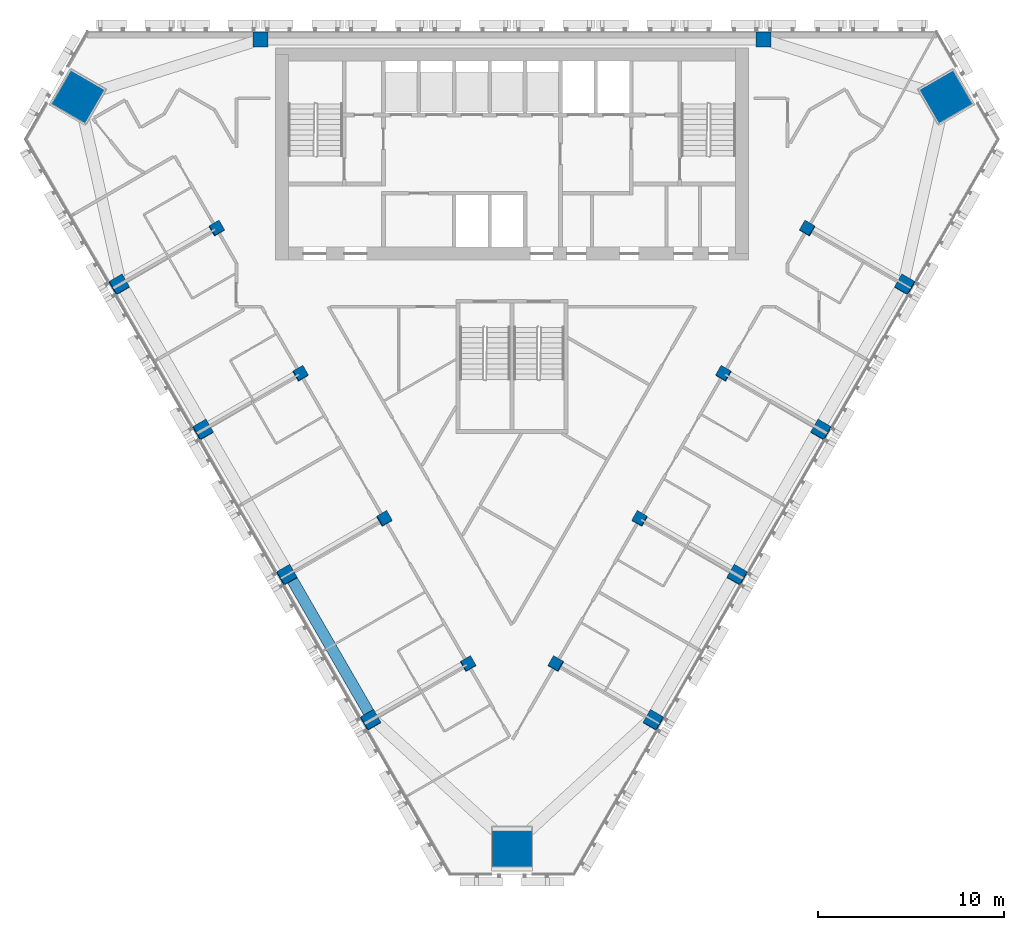
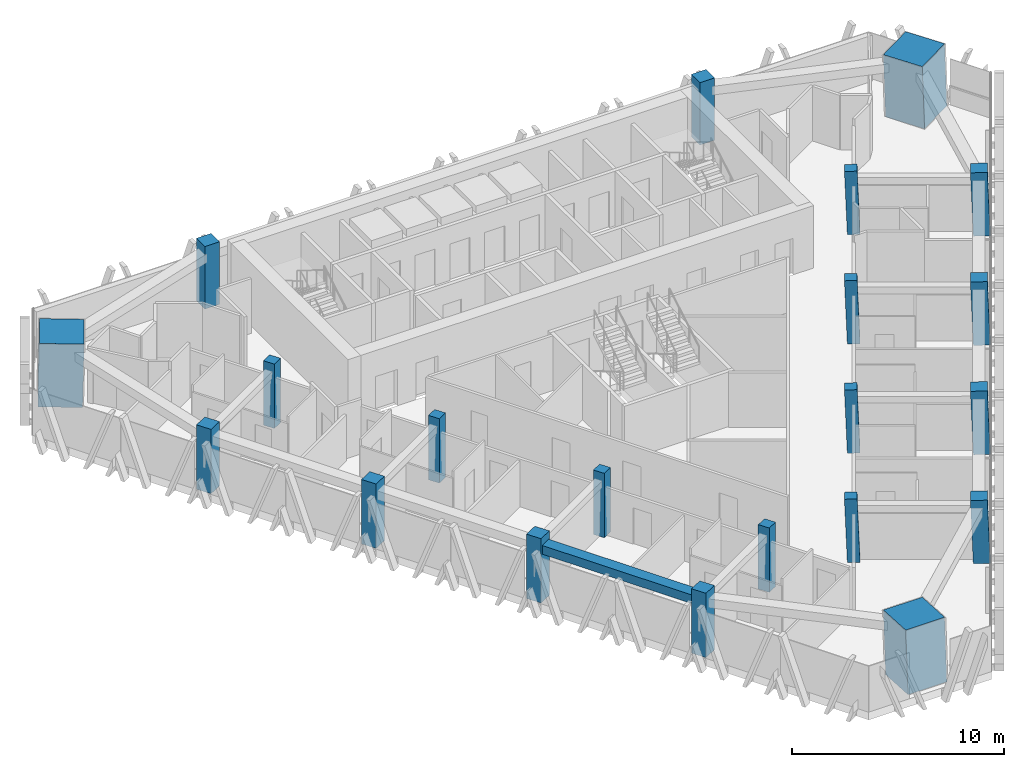
# One storey, part 1 of 16: 21 columns, 1 beam.
"""IFC4 building model written with IfcOpenShell, lengths in metres."""

from ifc_helpers import new_model, si_unit, direction, frame, origin, origin_2d, place, context, subcontext, project, spatial, rectangle, extrude, material, material_profile, profile_set, type_object, element, save


model = new_model("IFC4")

# Units and contexts
model_context = context("Model", 3, precision=1e-05, world=origin(), true_north=direction((0.0, 1.0)))
body_context = subcontext(model_context, "Body", "Model", "MODEL_VIEW")
ifc_project = project(units=[si_unit("LENGTHUNIT", "METRE"), si_unit("AREAUNIT", "SQUARE_METRE"), si_unit("VOLUMEUNIT", "CUBIC_METRE"), si_unit("PLANEANGLEUNIT", "RADIAN"), si_unit("MASSUNIT", "GRAM", prefix="KILO")], contexts=[model_context])

# Site, building, storey
site_placement = place(None, origin())
site = spatial("IfcSite", under=ifc_project, at=site_placement, CompositionType="ELEMENT")
building_placement = place(site_placement, origin())
building = spatial("IfcBuilding", under=site, at=building_placement, Name="Altiplano Prism Tower", CompositionType="ELEMENT")
storey_placement = place(building_placement, frame((0.0, 0.0, 181.800048828125)))
storey = spatial("IfcBuildingStorey", under=building, at=storey_placement, Name="L47", CompositionType="ELEMENT", Elevation=181.800048828125)

# Columns
ifc_material_1 = material(Name="Concrete C60/75", Category="concrete")
ifc_material_profile_1 = material_profile(ifc_material_1, rectangle(XDim=0.60009765625, YDim=0.60009765625, at=origin_2d()), Name="Inner column 600")
ifc_profile_set_1 = profile_set([ifc_material_profile_1], Name="Concrete C60/75")
column_type_1 = type_object("IfcColumnType", Name="Inner column 600", PredefinedType="COLUMN", material=ifc_profile_set_1)
for number, where, z_axis, x_axis, name in (
    (1, (69.1318359375, 94.398193359375, -0.018310546875), (0.02215369191, 0.038413282303, 0.999016333038), (-0.865360860763, -0.499675692985, 0.038402897016), "Inner column I11 L47"),
    (2, (73.6318359375, 86.60400390625, -0.018310546875), (0.02215369191, 0.038413282303, 0.999016333038), (-0.865363543364, -0.499671056237, 0.038402778216), "Inner column I12 L47"),
    (3, (78.1318359375, 78.8095703125, -0.018310546875), (0.022153634206, 0.038480930364, 0.999013730882), (-0.864983989859, -0.500323928804, 0.038453394564), "Inner column I13 L47"),
    (4, (82.6318359375, 71.015380859375, -0.018310546875), (0.022153634206, 0.038480930364, 0.999013730882), (-0.864983989859, -0.500323928804, 0.038453394564), "Inner column I14 L47"),
    (5, (87.3681640625, 71.015380859375, -0.018310546875), (-0.022153634206, 0.038480930364, 0.999013730882), (-0.501310197162, -0.864982765299, 0.022201395376), "Inner column I21 L47"),
    (6, (91.8681640625, 78.8095703125, -0.018310546875), (-0.022153634206, 0.038480930364, 0.999013730882), (-0.501310197162, -0.864982765299, 0.022201395376), "Inner column I22 L47"),
    (7, (96.3681640625, 86.60400390625, -0.018310546875), (-0.02215369191, 0.038413282303, 0.999016333038), (-0.500654723088, -0.865363077154, 0.022171895449), "Inner column I23 L47"),
    (8, (100.8681640625, 94.398193359375, -0.018310546875), (-0.02215369191, 0.038413282303, 0.999016333038), (-0.500654723088, -0.865363077154, 0.022171895449), "Inner column I24 L47"),
):
    element("IfcColumn", number, at=place(storey_placement, frame(where, z_axis=z_axis, x_axis=x_axis)), inside=storey, type_object=column_type_1, Name=name, PredefinedType="COLUMN", context=body_context, shape_type="SweptSolid", body=[
        extrude(rectangle(XDim=0.60009765625, YDim=0.60009765625, at=origin_2d()), origin(), (0.0, 0.0, 1.0), 3.603759765625),
    ])
ifc_material_2 = material(Name="Concrete C70/85", Category="concrete")
ifc_material_profile_2 = material_profile(ifc_material_2, rectangle(XDim=2.1201171875, YDim=2.1201171875, at=origin_2d()), Name="Mega column infill 2200")
ifc_profile_set_2 = profile_set([ifc_material_profile_2], Name="Concrete C70/85")
column_type_2 = type_object("IfcColumnType", Name="Mega column infill 2200", PredefinedType="COLUMN", material=ifc_profile_set_2)
column_1_placement = place(storey_placement, frame((61.649658203125, 101.453125, 0.0), z_axis=(0.028403739082, 0.009219352065, 0.999554016126), x_axis=(-0.865117148267, 0.501172504354, 0.019960978266)))
element("IfcColumn", 9, at=column_1_placement, inside=storey, type_object=column_type_2, Name="Mega column M0 L47", PredefinedType="COLUMN", context=body_context, shape_type="SweptSolid", body=[
    extrude(rectangle(XDim=2.1201171875, YDim=2.1201171875, at=origin_2d()), origin(), (0.0, 0.0, 1.0), 3.6015625),
])
column_2_placement = place(storey_placement, frame((85.0, 61.009033203125, 0.0), z_axis=(0.0, 0.058293378456, 0.998299495156), x_axis=(-1.0, 0.0, 0.0)))
element("IfcColumn", 10, at=column_2_placement, inside=storey, type_object=column_type_2, Name="Mega column M1 L47", PredefinedType="COLUMN", context=body_context, shape_type="SweptSolid", body=[
    extrude(rectangle(XDim=2.1201171875, YDim=2.1201171875, at=origin_2d()), origin(), (0.0, 0.0, 1.0), 3.60595703125),
])
column_3_placement = place(storey_placement, frame((108.350341796875, 101.453125, 0.0), z_axis=(-0.028403739082, 0.009219352065, 0.999554016126), x_axis=(0.500767468669, -0.865296834365, 0.022211050447)))
element("IfcColumn", 11, at=column_3_placement, inside=storey, type_object=column_type_2, Name="Mega column M2 L47", PredefinedType="COLUMN", context=body_context, shape_type="SweptSolid", body=[
    extrude(rectangle(XDim=2.1201171875, YDim=2.1201171875, at=origin_2d()), origin(), (0.0, 0.0, 1.0), 3.6015625),
])
ifc_material_profile_3 = material_profile(ifc_material_1, rectangle(XDim=0.800048828125, YDim=0.800048828125, at=origin_2d()), Name="Perimeter column 800")
ifc_profile_set_3 = profile_set([ifc_material_profile_3], Name="Concrete C60/75")
column_type_3 = type_object("IfcColumnType", Name="Perimeter column 800", PredefinedType="COLUMN", material=ifc_profile_set_3)
for number, where, z_axis, x_axis, name in (
    (12, (98.5, 104.550048828125, 0.0), (0.0, 0.0, 1.0), (1.0, 0.0, 0.0), "Perimeter column P01 L47"),
    (13, (71.5, 104.550048828125, 0.0), (0.0, 0.0, 1.0), (1.0, 0.0, 0.0), "Perimeter column P04 L47"),
):
    element("IfcColumn", number, at=place(storey_placement, frame(where, z_axis=z_axis, x_axis=x_axis)), inside=storey, type_object=column_type_3, Name=name, PredefinedType="COLUMN", context=body_context, shape_type="SweptSolid", body=[
        extrude(rectangle(XDim=0.800048828125, YDim=0.800048828125, at=origin_2d()), origin(), (0.0, 0.0, 1.0), 3.599853515625),
    ])
for number, where, z_axis, x_axis, name in (
    (14, (63.89208984375, 91.372802734375, -0.0244140625), (0.02222134892, 0.038480872521, 0.999012229206), (-0.865640963928, -0.49918413288, 0.03848276303), "Perimeter column P11 L47"),
    (15, (68.39208984375, 83.57861328125, -0.0244140625), (0.02222134892, 0.038480872521, 0.999012229206), (-0.865640963928, -0.49918413288, 0.03848276303), "Perimeter column P12 L47"),
    (16, (72.89208984375, 75.784423828125, -0.0244140625), (0.02222134892, 0.038480872521, 0.999012229206), (-0.865643661376, -0.499179464412, 0.038482643206), "Perimeter column P13 L47"),
    (17, (77.39208984375, 67.990234375, -0.0244140625), (0.022221406801, 0.038413224561, 0.999014831351), (-0.866025625924, -0.498520411573, 0.0384319462), "Perimeter column P14 L47"),
    (18, (92.60791015625, 67.990234375, -0.0244140625), (-0.022221406801, 0.038413224561, 0.999014831351), (-0.499505579872, -0.866026456538, 0.02218901198), "Perimeter column P21 L47"),
    (19, (97.10791015625, 75.784423828125, -0.0244140625), (-0.02222134892, 0.038480872521, 0.999012229206), (-0.500167235204, -0.865643740091, 0.022218282329), "Perimeter column P22 L47"),
    (20, (101.60791015625, 83.57861328125, -0.0244140625), (-0.02222134892, 0.038480872521, 0.999012229206), (-0.500171903671, -0.86564104797, 0.022218074789), "Perimeter column P23 L47"),
    (21, (106.10791015625, 91.372802734375, -0.0244140625), (-0.02222134892, 0.038480872521, 0.999012229206), (-0.500171903671, -0.86564104797, 0.022218074789), "Perimeter column P24 L47"),
):
    element("IfcColumn", number, at=place(storey_placement, frame(where, z_axis=z_axis, x_axis=x_axis)), inside=storey, type_object=column_type_3, Name=name, PredefinedType="COLUMN", context=body_context, shape_type="SweptSolid", body=[
        extrude(rectangle(XDim=0.800048828125, YDim=0.800048828125, at=origin_2d()), origin(), (0.0, 0.0, 1.0), 3.603759765625),
    ])

# Beam
ifc_material_profile_4 = material_profile(ifc_material_1, rectangle(XDim=0.60009765625, YDim=0.5, at=origin_2d()), Name="Edge beam 600x500")
ifc_profile_set_4 = profile_set([ifc_material_profile_4], Name="Concrete C60/75")
beam_type = type_object("IfcBeamType", Name="Edge beam 600x500", PredefinedType="SPANDREL", material=ifc_profile_set_4)
beam_placement = place(storey_placement, frame((73.11279296875, 75.681396484375, 2.89990234375), z_axis=(0.499993714791, -0.866029032521, 0.0), x_axis=(0.866029032521, 0.499993714791, 0.0)))
element("IfcBeam", 22, at=beam_placement, inside=storey, type_object=beam_type, Name="Edge beam P13-P14 L48", PredefinedType="SPANDREL", context=body_context, shape_type="SweptSolid", body=[
    extrude(rectangle(XDim=0.60009765625, YDim=0.5, at=origin_2d()), origin(), (0.0, 0.0, 1.0), 8.43994140625),
])

save(model, "model.ifc")
